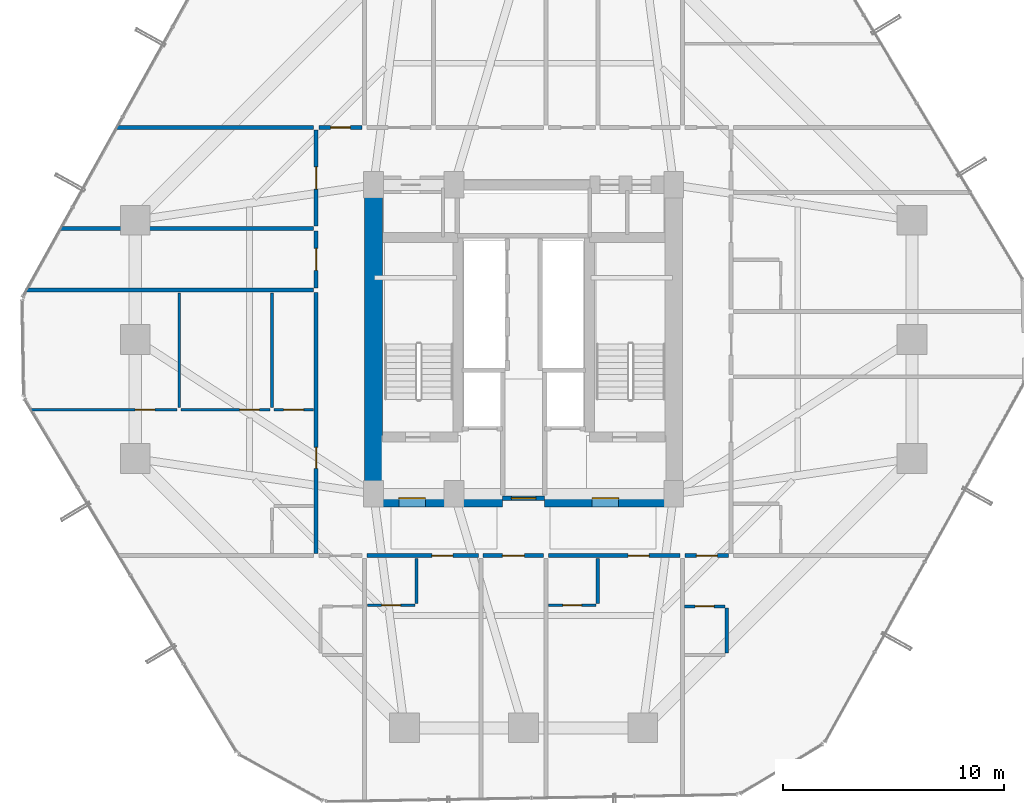
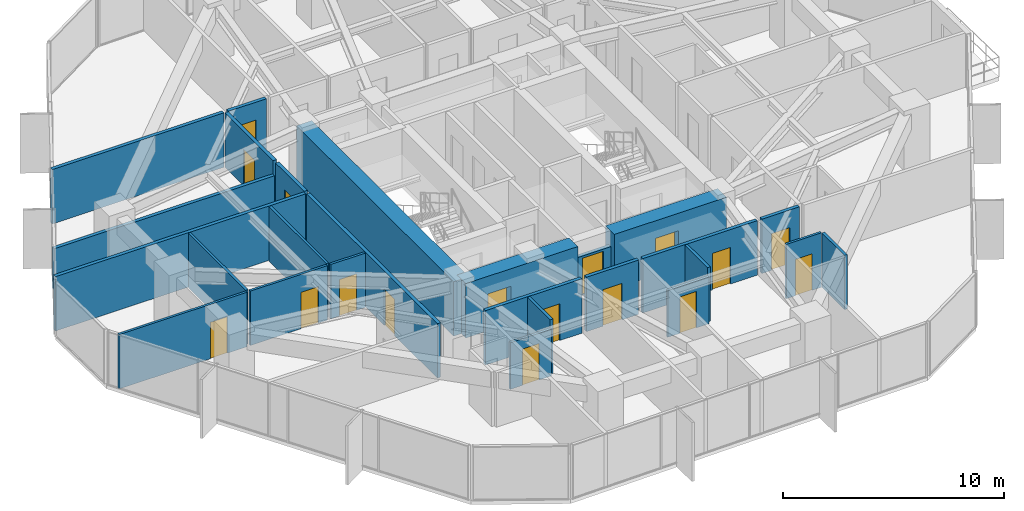
# One storey, part 35 of 39: 26 walls, 17 doors, 17 openings.
"""IFC4 building model written with IfcOpenShell, lengths in metres."""

from ifc_helpers import new_model, si_unit, direction, frame, frame_2d, origin, place, context, subcontext, project, spatial, rectangle, extrude, source, transform, mapped, material, layer, layer_set, type_object, element, fill, save


model = new_model("IFC4")

# Units and contexts
model_context = context("Model", 3, precision=1e-05, world=origin(), true_north=direction((0.0, 1.0)))
body_context = subcontext(model_context, "Body", "Model", "MODEL_VIEW")
ifc_project = project(units=[si_unit("LENGTHUNIT", "METRE"), si_unit("AREAUNIT", "SQUARE_METRE"), si_unit("VOLUMEUNIT", "CUBIC_METRE"), si_unit("PLANEANGLEUNIT", "RADIAN"), si_unit("MASSUNIT", "GRAM", prefix="KILO")], contexts=[model_context])

# Site, building, storey
site_placement = place(None, origin())
site = spatial("IfcSite", under=ifc_project, at=site_placement, CompositionType="ELEMENT")
building_placement = place(site_placement, origin())
building = spatial("IfcBuilding", under=site, at=building_placement, Name="Veraguas Prism Commons", CompositionType="ELEMENT")
storey_placement = place(building_placement, frame((0.0, 0.0, 27.300048828125)))
storey = spatial("IfcBuildingStorey", under=building, at=storey_placement, Name="L06", CompositionType="ELEMENT", Elevation=27.300048828125)

# Wall
ifc_material_1 = material(Name="Concrete C60/75", Category="concrete")
ifc_layer_1 = layer(ifc_material_1, 0.800048828125, Name="Core Outer Shear Wall Lower RC 800", Category="concrete")
ifc_layer_set_1 = layer_set([ifc_layer_1], Name="Concrete C60/75")
wall_type_1 = type_object("IfcWallType", Name="Core Outer Shear Wall Lower RC 800", PredefinedType="SHEAR", material=ifc_layer_set_1)
wall_1_placement = place(storey_placement, frame((17.199951171875, 16.800048828125, 0.0), z_axis=(0.0, 0.0, 1.0), x_axis=(0.0, 1.0, 0.0)))
element("IfcWall", 1, at=wall_1_placement, inside=storey, type_object=wall_type_1, Name="Central Core West Shear Wall L06", PredefinedType="SHEAR", context=body_context, shape_type="SweptSolid", body=[
    extrude(rectangle(XDim=14.199951171875, YDim=0.800048828125, at=frame_2d((7.10009765625, 0.0))), origin(), (0.0, 0.0, 1.0), 3.0),
])

# Wall, opening, door
wall_2_placement = place(storey_placement, frame((17.199951171875, 16.800048828125, 0.0), z_axis=(0.0, 0.0, 1.0), x_axis=(1.0, 0.0, 0.0)))
wall_2 = element("IfcWall", 2, at=wall_2_placement, inside=storey, type_object=wall_type_1, Name="Central Core South-West Shear Wall L06", PredefinedType="SHEAR", context=body_context, shape_type="SweptSolid", body=[
    extrude(rectangle(XDim=5.85009765625, YDim=0.800048828125, at=frame_2d((2.925048828125, 0.0))), origin(), (0.0, 0.0, 1.0), 3.0),
])
opening_1_placement = place(wall_2_placement, frame((1.14990234375, 0.0, 0.0)))
opening_1 = element("IfcOpeningElement", 3, at=opening_1_placement, cuts=wall_2, Name="Opening DR-06", PredefinedType="OPENING", context=body_context, shape_type="SweptSolid", body=[
    extrude(rectangle(XDim=1.199951171875, YDim=2.030029296875, at=frame_2d((0.60009765625, 1.01513671875))), frame((0.0, 0.409912109375, 0.0), z_axis=(0.0, -1.0, 0.0), x_axis=(1.0, 0.0, 0.0)), (0.0, 0.0, 1.0), 0.820068359375),
])
ifc_material_2 = material(Name="Steel fire-rated door assembly", Category="steel")
door_type_1 = type_object("IfcDoorType", Name="Firefighting Lobby Smoke Door 1200x2030", OperationType="NOTDEFINED", PredefinedType="DOOR", material=ifc_material_2)
shared_shape_1 = source(origin(), body_context, "Body", "SweptSolid", [
    extrude(rectangle(XDim=1.199951171875, YDim=2.030029296875, at=frame_2d((0.60009765625, 1.01513671875))), frame((0.0, 0.02490234375, 0.0), z_axis=(0.0, -1.0, 0.0), x_axis=(1.0, 0.0, 0.0)), (0.0, 0.0, 1.0), 0.050048828125),
])
door_1_placement = place(opening_1_placement, origin())
door_1 = element("IfcDoor", 4, at=door_1_placement, inside=storey, type_object=door_type_1, Name="West FF Lobby Door L06", OperationType="SINGLE_SWING_LEFT", OverallHeight=2.030029296875, OverallWidth=1.199951171875, PredefinedType="DOOR", context=body_context, shape_type="MappedRepresentation", body=[
    mapped(shared_shape_1, transform((0.0, 0.0, 0.0), scale=1.0)),
])
fill(opening_1, door_1)

wall_3_placement = place(storey_placement, frame((24.949951171875, 16.800048828125, 0.0), z_axis=(0.0, 0.0, 1.0), x_axis=(1.0, 0.0, 0.0)))
wall_3 = element("IfcWall", 5, at=wall_3_placement, inside=storey, type_object=wall_type_1, Name="Central Core South-East Shear Wall L06", PredefinedType="SHEAR", context=body_context, shape_type="SweptSolid", body=[
    extrude(rectangle(XDim=5.85009765625, YDim=0.800048828125, at=frame_2d((2.925048828125, 0.0))), origin(), (0.0, 0.0, 1.0), 3.0),
])
opening_2_placement = place(wall_3_placement, frame((2.14990234375, 0.0, 0.0)))
opening_2 = element("IfcOpeningElement", 6, at=opening_2_placement, cuts=wall_3, Name="Opening DR-06", PredefinedType="OPENING", context=body_context, shape_type="SweptSolid", body=[
    extrude(rectangle(XDim=1.199951171875, YDim=2.030029296875, at=frame_2d((0.60009765625, 1.01513671875))), frame((0.0, 0.409912109375, 0.0), z_axis=(0.0, -1.0, 0.0), x_axis=(1.0, 0.0, 0.0)), (0.0, 0.0, 1.0), 0.820068359375),
])
door_2_placement = place(opening_2_placement, origin())
door_2 = element("IfcDoor", 7, at=door_2_placement, inside=storey, type_object=door_type_1, Name="East FF Lobby Door L06", OperationType="SINGLE_SWING_LEFT", OverallHeight=2.030029296875, OverallWidth=1.199951171875, PredefinedType="DOOR", context=body_context, shape_type="MappedRepresentation", body=[
    mapped(shared_shape_1, transform((0.0, 0.0, 0.0), scale=1.0)),
])
fill(opening_2, door_2)

ifc_material_3 = material(Name="Autoclaved aerated masonry block 10 MPa", Category="masonry")
ifc_layer_2 = layer(ifc_material_3, 0.179931640625, Name="Corridor and Inter-Tenancy Partition 180", Category="masonry")
ifc_layer_set_2 = layer_set([ifc_layer_2], Name="Autoclaved aerated masonry block 10 MPa")
wall_type_2 = type_object("IfcWallType", Name="Corridor and Inter-Tenancy Partition 180", PredefinedType="PARTITIONING", material=ifc_layer_set_2)
wall_4_placement = place(storey_placement, frame((22.16796875, 14.199951171875, 0.0), z_axis=(0.0, 0.0, 1.0), x_axis=(1.0, 0.0, 0.0)))
wall_4 = element("IfcWall", 8, at=wall_4_placement, inside=storey, type_object=wall_type_2, Name="WL-L06-PT003", PredefinedType="PARTITIONING", context=body_context, shape_type="SweptSolid", body=[
    extrude(rectangle(XDim=2.72998046875, YDim=0.179931640625, at=frame_2d((1.364990234375, 0.0))), origin(), (0.0, 0.0, 1.0), 3.0),
])
opening_3_placement = place(wall_4_placement, frame((0.864990234375, 0.0, 0.0)))
opening_3 = element("IfcOpeningElement", 9, at=opening_3_placement, cuts=wall_4, Name="Opening DR-13", PredefinedType="OPENING", context=body_context, shape_type="SweptSolid", body=[
    extrude(rectangle(XDim=1.0, YDim=2.010009765625, at=frame_2d((0.5, 1.0048828125))), frame((0.0, 0.099853515625, 0.0), z_axis=(0.0, -1.0, 0.0), x_axis=(1.0, 0.0, 0.0)), (0.0, 0.0, 1.0), 0.199951171875),
])
door_type_2 = type_object("IfcDoorType", Name="Core Accessible WC and Clinic Fire Door 1000x2010", OperationType="NOTDEFINED", PredefinedType="DOOR", material=ifc_material_2)
shared_shape_2 = source(origin(), body_context, "Body", "SweptSolid", [
    extrude(rectangle(XDim=1.0, YDim=2.010009765625, at=frame_2d((0.5, 1.0048828125))), frame((0.0, 0.02490234375, 0.0), z_axis=(0.0, -1.0, 0.0), x_axis=(1.0, 0.0, 0.0)), (0.0, 0.0, 1.0), 0.050048828125),
])
door_3_placement = place(opening_3_placement, origin())
door_3 = element("IfcDoor", 10, at=door_3_placement, inside=storey, type_object=door_type_2, Name="Quiet Study S Door", OperationType="SINGLE_SWING_LEFT", OverallHeight=2.010009765625, OverallWidth=1.0, PredefinedType="DOOR", context=body_context, shape_type="MappedRepresentation", body=[
    mapped(shared_shape_2, transform((0.0, 0.0, 0.0), scale=1.0)),
])
fill(opening_3, door_3)

wall_5_placement = place(storey_placement, frame((16.909912109375, 14.199951171875, 0.0), z_axis=(0.0, 0.0, 1.0), x_axis=(1.0, 0.0, 0.0)))
wall_5 = element("IfcWall", 11, at=wall_5_placement, inside=storey, type_object=wall_type_2, Name="WL-L06-PT005", PredefinedType="PARTITIONING", context=body_context, shape_type="SweptSolid", body=[
    extrude(rectangle(XDim=5.0380859375, YDim=0.179931640625, at=frame_2d((2.51904296875, 0.0))), origin(), (0.0, 0.0, 1.0), 3.0),
])
opening_4_placement = place(wall_5_placement, frame((2.92919921875, 0.0, 0.0)))
opening_4 = element("IfcOpeningElement", 12, at=opening_4_placement, cuts=wall_5, Name="Opening DR-01", PredefinedType="OPENING", context=body_context, shape_type="SweptSolid", body=[
    extrude(rectangle(XDim=0.949951171875, YDim=2.02001953125, at=frame_2d((0.47509765625, 1.010009765625))), frame((0.0, 0.099853515625, 0.0), z_axis=(0.0, -1.0, 0.0), x_axis=(1.0, 0.0, 0.0)), (0.0, 0.0, 1.0), 0.199951171875),
])
ifc_material_4 = material(Name="Anodised aluminium EN AW-6063 T6", Category="aluminium")
door_type_3 = type_object("IfcDoorType", Name="Apartment Entrance Fire Door 950x2020", OperationType="NOTDEFINED", PredefinedType="DOOR", material=ifc_material_4)
shared_shape_3 = source(origin(), body_context, "Body", "SweptSolid", [
    extrude(rectangle(XDim=0.949951171875, YDim=2.02001953125, at=frame_2d((0.47509765625, 1.010009765625))), frame((0.0, 0.02490234375, 0.0), z_axis=(0.0, -1.0, 0.0), x_axis=(1.0, 0.0, 0.0)), (0.0, 0.0, 1.0), 0.050048828125),
])
door_4_placement = place(opening_4_placement, origin())
door_4 = element("IfcDoor", 13, at=door_4_placement, inside=storey, type_object=door_type_3, Name="Studio 06A Entrance Door", OperationType="SINGLE_SWING_RIGHT", OverallHeight=2.02001953125, OverallWidth=0.949951171875, PredefinedType="DOOR", context=body_context, shape_type="MappedRepresentation", body=[
    mapped(shared_shape_3, transform((0.0, 0.0, 0.0), scale=1.0)),
])
fill(opening_4, door_4)

wall_6_placement = place(storey_placement, frame((25.117919921875, 14.199951171875, 0.0), z_axis=(0.0, 0.0, 1.0), x_axis=(1.0, 0.0, 0.0)))
wall_6 = element("IfcWall", 14, at=wall_6_placement, inside=storey, type_object=wall_type_2, Name="WL-L06-PT009", PredefinedType="PARTITIONING", context=body_context, shape_type="SweptSolid", body=[
    extrude(rectangle(XDim=5.97216796875, YDim=0.179931640625, at=frame_2d((2.986083984375, 0.0))), origin(), (0.0, 0.0, 1.0), 3.0),
])
opening_5_placement = place(wall_6_placement, frame((3.620361328125, 0.0, 0.0)))
opening_5 = element("IfcOpeningElement", 15, at=opening_5_placement, cuts=wall_6, Name="Opening DR-01", PredefinedType="OPENING", context=body_context, shape_type="SweptSolid", body=[
    extrude(rectangle(XDim=0.949951171875, YDim=2.02001953125, at=frame_2d((0.47509765625, 1.010009765625))), frame((0.0, 0.099853515625, 0.0), z_axis=(0.0, -1.0, 0.0), x_axis=(1.0, 0.0, 0.0)), (0.0, 0.0, 1.0), 0.199951171875),
])
door_5_placement = place(opening_5_placement, origin())
door_5 = element("IfcDoor", 16, at=door_5_placement, inside=storey, type_object=door_type_3, Name="Studio 06B Entrance Door", OperationType="SINGLE_SWING_RIGHT", OverallHeight=2.02001953125, OverallWidth=0.949951171875, PredefinedType="DOOR", context=body_context, shape_type="MappedRepresentation", body=[
    mapped(shared_shape_3, transform((0.0, 0.0, 0.0), scale=1.0)),
])
fill(opening_5, door_5)

# Wall
wall_7_placement = place(storey_placement, frame((14.47998046875, 33.60009765625, 0.0), z_axis=(0.0, 0.0, 1.0), x_axis=(-1.0, 0.0, 0.0)))
element("IfcWall", 17, at=wall_7_placement, inside=storey, type_object=wall_type_2, Name="WL-L06-PT022", PredefinedType="PARTITIONING", context=body_context, shape_type="SweptSolid", body=[
    extrude(rectangle(XDim=8.957275390625, YDim=0.179931640625, at=frame_2d((4.478515625, 0.0))), origin(), (0.0, 0.0, 1.0), 3.0),
])

# Wall, opening, door
wall_8_placement = place(storey_placement, frame((14.60009765625, 14.31005859375, 0.0), z_axis=(0.0, 0.0, 1.0), x_axis=(0.0, 1.0, 0.0)))
wall_8 = element("IfcWall", 18, at=wall_8_placement, inside=storey, type_object=wall_type_2, Name="WL-L06-PT023", PredefinedType="PARTITIONING", context=body_context, shape_type="SweptSolid", body=[
    extrude(rectangle(XDim=11.807861328125, YDim=0.179931640625, at=frame_2d((5.90380859375, 0.0))), origin(), (0.0, 0.0, 1.0), 3.0),
])
opening_6_placement = place(wall_8_placement, frame((3.847412109375, 0.0, 0.0)))
opening_6 = element("IfcOpeningElement", 19, at=opening_6_placement, cuts=wall_8, Name="Opening DR-01", PredefinedType="OPENING", context=body_context, shape_type="SweptSolid", body=[
    extrude(rectangle(XDim=0.949951171875, YDim=2.02001953125, at=frame_2d((0.47509765625, 1.010009765625))), frame((0.0, 0.099853515625, 0.0), z_axis=(0.0, -1.0, 0.0), x_axis=(1.0, 0.0, 0.0)), (0.0, 0.0, 1.0), 0.199951171875),
])
door_6_placement = place(opening_6_placement, origin())
door_6 = element("IfcDoor", 20, at=door_6_placement, inside=storey, type_object=door_type_3, Name="Flat 06C Entrance Door", OperationType="SINGLE_SWING_RIGHT", OverallHeight=2.02001953125, OverallWidth=0.949951171875, PredefinedType="DOOR", context=body_context, shape_type="MappedRepresentation", body=[
    mapped(shared_shape_3, transform((0.0, 0.0, 0.0), scale=1.0)),
])
fill(opening_6, door_6)

# Wall
wall_9_placement = place(storey_placement, frame((14.47998046875, 26.22802734375, 0.0), z_axis=(0.0, 0.0, 1.0), x_axis=(-1.0, 0.0, 0.0)))
element("IfcWall", 21, at=wall_9_placement, inside=storey, type_object=wall_type_2, Name="WL-L06-PT031", PredefinedType="PARTITIONING", context=body_context, shape_type="SweptSolid", body=[
    extrude(rectangle(XDim=13.046875, YDim=0.179931640625, at=frame_2d((6.5234375, 0.0))), origin(), (0.0, 0.0, 1.0), 3.0),
])

# Wall, opening, door
wall_10_placement = place(storey_placement, frame((14.60009765625, 26.337890625, 0.0), z_axis=(0.0, 0.0, 1.0), x_axis=(0.0, 1.0, 0.0)))
wall_10 = element("IfcWall", 22, at=wall_10_placement, inside=storey, type_object=wall_type_2, Name="WL-L06-PT032", PredefinedType="PARTITIONING", context=body_context, shape_type="SweptSolid", body=[
    extrude(rectangle(XDim=2.5810546875, YDim=0.179931640625, at=frame_2d((1.29052734375, 0.0))), origin(), (0.0, 0.0, 1.0), 3.0),
])
opening_7_placement = place(wall_10_placement, frame((0.79052734375, 0.0, 0.0)))
opening_7 = element("IfcOpeningElement", 23, at=opening_7_placement, cuts=wall_10, Name="Opening DR-13", PredefinedType="OPENING", context=body_context, shape_type="SweptSolid", body=[
    extrude(rectangle(XDim=1.0, YDim=2.010009765625, at=frame_2d((0.5, 1.0048828125))), frame((0.0, 0.099853515625, 0.0), z_axis=(0.0, -1.0, 0.0), x_axis=(1.0, 0.0, 0.0)), (0.0, 0.0, 1.0), 0.199951171875),
])
door_7_placement = place(opening_7_placement, origin())
door_7 = element("IfcDoor", 24, at=door_7_placement, inside=storey, type_object=door_type_2, Name="Residents Study Room Door", OperationType="SINGLE_SWING_LEFT", OverallHeight=2.010009765625, OverallWidth=1.0, PredefinedType="DOOR", context=body_context, shape_type="MappedRepresentation", body=[
    mapped(shared_shape_2, transform((0.0, 0.0, 0.0), scale=1.0)),
])
fill(opening_7, door_7)

wall_11_placement = place(storey_placement, frame((14.60009765625, 29.138916015625, 0.0), z_axis=(0.0, 0.0, 1.0), x_axis=(0.0, 1.0, 0.0)))
wall_11 = element("IfcWall", 25, at=wall_11_placement, inside=storey, type_object=wall_type_2, Name="WL-L06-PT033", PredefinedType="PARTITIONING", context=body_context, shape_type="SweptSolid", body=[
    extrude(rectangle(XDim=4.35107421875, YDim=0.179931640625, at=frame_2d((2.175537109375, 0.0))), origin(), (0.0, 0.0, 1.0), 3.0),
])
opening_8_placement = place(wall_11_placement, frame((1.675537109375, 0.0, 0.0)))
opening_8 = element("IfcOpeningElement", 26, at=opening_8_placement, cuts=wall_11, Name="Opening DR-13", PredefinedType="OPENING", context=body_context, shape_type="SweptSolid", body=[
    extrude(rectangle(XDim=1.0, YDim=2.010009765625, at=frame_2d((0.5, 1.0048828125))), frame((0.0, 0.099853515625, 0.0), z_axis=(0.0, -1.0, 0.0), x_axis=(1.0, 0.0, 0.0)), (0.0, 0.0, 1.0), 0.199951171875),
])
door_8_placement = place(opening_8_placement, origin())
door_8 = element("IfcDoor", 27, at=door_8_placement, inside=storey, type_object=door_type_2, Name="Co-op Store W Door", OperationType="SINGLE_SWING_RIGHT", OverallHeight=2.010009765625, OverallWidth=1.0, PredefinedType="DOOR", context=body_context, shape_type="MappedRepresentation", body=[
    mapped(shared_shape_2, transform((0.0, 0.0, 0.0), scale=1.0)),
])
fill(opening_8, door_8)

# Wall
wall_12_placement = place(storey_placement, frame((14.47998046875, 29.029052734375, 0.0), z_axis=(0.0, 0.0, 1.0), x_axis=(-1.0, 0.0, 0.0)))
element("IfcWall", 28, at=wall_12_placement, inside=storey, type_object=wall_type_2, Name="WL-L06-PT034", PredefinedType="PARTITIONING", context=body_context, shape_type="SweptSolid", body=[
    extrude(rectangle(XDim=11.4931640625, YDim=0.179931640625, at=frame_2d((5.74658203125, 0.0))), origin(), (0.0, 0.0, 1.0), 2.299072265625),
])

# Wall, opening, door
wall_13_placement = place(storey_placement, frame((31.320068359375, 14.199951171875, 0.0), z_axis=(0.0, 0.0, 1.0), x_axis=(1.0, 0.0, 0.0)))
wall_13 = element("IfcWall", 29, at=wall_13_placement, inside=storey, type_object=wall_type_2, Name="WL-L06-PT052", PredefinedType="PARTITIONING", context=body_context, shape_type="SweptSolid", body=[
    extrude(rectangle(XDim=1.9599609375, YDim=0.179931640625, at=frame_2d((0.97998046875, 0.0))), origin(), (0.0, 0.0, 1.0), 3.0),
])
opening_9_placement = place(wall_13_placement, frame((0.5048828125, 0.0, 0.0)))
opening_9 = element("IfcOpeningElement", 30, at=opening_9_placement, cuts=wall_13, Name="Opening DR-01", PredefinedType="OPENING", context=body_context, shape_type="SweptSolid", body=[
    extrude(rectangle(XDim=0.949951171875, YDim=2.02001953125, at=frame_2d((0.47509765625, 1.010009765625))), frame((0.0, 0.099853515625, 0.0), z_axis=(0.0, -1.0, 0.0), x_axis=(1.0, 0.0, 0.0)), (0.0, 0.0, 1.0), 0.199951171875),
])
door_9_placement = place(opening_9_placement, origin())
door_9 = element("IfcDoor", 31, at=door_9_placement, inside=storey, type_object=door_type_3, Name="Studio 06G Entrance Door", OperationType="SINGLE_SWING_LEFT", OverallHeight=2.02001953125, OverallWidth=0.949951171875, PredefinedType="DOOR", context=body_context, shape_type="MappedRepresentation", body=[
    mapped(shared_shape_3, transform((0.0, 0.0, 0.0), scale=1.0)),
])
fill(opening_9, door_9)

wall_14_placement = place(storey_placement, frame((14.719970703125, 33.60009765625, 0.0), z_axis=(0.0, 0.0, 1.0), x_axis=(1.0, 0.0, 0.0)))
wall_14 = element("IfcWall", 32, at=wall_14_placement, inside=storey, type_object=wall_type_2, Name="WL-L06-PT056", PredefinedType="PARTITIONING", context=body_context, shape_type="SweptSolid", body=[
    extrude(rectangle(XDim=1.9599609375, YDim=0.179931640625, at=frame_2d((0.97998046875, 0.0))), origin(), (0.0, 0.0, 1.0), 3.0),
])
opening_10_placement = place(wall_14_placement, frame((0.530029296875, 0.0, 0.0)))
opening_10 = element("IfcOpeningElement", 33, at=opening_10_placement, cuts=wall_14, Name="Opening DR-14", PredefinedType="OPENING", context=body_context, shape_type="SweptSolid", body=[
    extrude(rectangle(XDim=0.89990234375, YDim=2.010009765625, at=frame_2d((0.449951171875, 1.0048828125))), frame((0.0, 0.099853515625, 0.0), z_axis=(0.0, -1.0, 0.0), x_axis=(1.0, 0.0, 0.0)), (0.0, 0.0, 1.0), 0.199951171875),
])
door_type_4 = type_object("IfcDoorType", Name="Core Service Room Fire Door 900x2010", OperationType="NOTDEFINED", PredefinedType="DOOR", material=ifc_material_2)
shared_shape_4 = source(origin(), body_context, "Body", "SweptSolid", [
    extrude(rectangle(XDim=0.89990234375, YDim=2.010009765625, at=frame_2d((0.449951171875, 1.0048828125))), frame((0.0, 0.02490234375, 0.0), z_axis=(0.0, -1.0, 0.0), x_axis=(1.0, 0.0, 0.0)), (0.0, 0.0, 1.0), 0.050048828125),
])
door_10_placement = place(opening_10_placement, origin())
door_10 = element("IfcDoor", 34, at=door_10_placement, inside=storey, type_object=door_type_4, Name="Residents Corner Study Room NW Door", OperationType="SINGLE_SWING_LEFT", OverallHeight=2.010009765625, OverallWidth=0.89990234375, PredefinedType="DOOR", context=body_context, shape_type="MappedRepresentation", body=[
    mapped(shared_shape_4, transform((0.0, 0.0, 0.0), scale=1.0)),
])
fill(opening_10, door_10)

ifc_material_5 = material(Name="Lightweight acoustic gypsum board")
ifc_layer_3 = layer(ifc_material_5, 0.125, Name="Internal Apartment Room Partition 125")
ifc_layer_set_3 = layer_set([ifc_layer_3], Name="Lightweight acoustic gypsum board")
wall_type_3 = type_object("IfcWallType", Name="Internal Apartment Room Partition 125", PredefinedType="PARTITIONING", material=ifc_layer_set_3)
wall_15_placement = place(storey_placement, frame((16.919921875, 11.949951171875, 0.0), z_axis=(0.0, 0.0, 1.0), x_axis=(1.0, 0.0, 0.0)))
wall_15 = element("IfcWall", 35, at=wall_15_placement, inside=storey, type_object=wall_type_3, Name="WL-L06-PT007", PredefinedType="PARTITIONING", context=body_context, shape_type="SweptSolid", body=[
    extrude(rectangle(XDim=2.150146484375, YDim=0.125, at=frame_2d((1.0751953125, 0.0))), origin(), (0.0, 0.0, 1.0), 2.579833984375),
])
opening_11_placement = place(wall_15_placement, frame((0.64501953125, 0.0, 0.0)))
opening_11 = element("IfcOpeningElement", 36, at=opening_11_placement, cuts=wall_15, Name="Opening DR-03", PredefinedType="OPENING", context=body_context, shape_type="SweptSolid", body=[
    extrude(rectangle(XDim=0.860107421875, YDim=2.010009765625, at=frame_2d((0.43017578125, 1.0048828125))), frame((0.0, 0.072509765625, 0.0), z_axis=(0.0, -1.0, 0.0), x_axis=(1.0, 0.0, 0.0)), (0.0, 0.0, 1.0), 0.14501953125),
])
ifc_material_6 = material(Name="Timber moisture-resistant leaf", Category="wood")
door_type_5 = type_object("IfcDoorType", Name="Internal Bathroom Door 860x2010", OperationType="NOTDEFINED", PredefinedType="DOOR", material=ifc_material_6)
shared_shape_5 = source(origin(), body_context, "Body", "SweptSolid", [
    extrude(rectangle(XDim=0.860107421875, YDim=2.010009765625, at=frame_2d((0.43017578125, 1.0048828125))), frame((0.0, 0.02490234375, 0.0), z_axis=(0.0, -1.0, 0.0), x_axis=(1.0, 0.0, 0.0)), (0.0, 0.0, 1.0), 0.050048828125),
])
door_11_placement = place(opening_11_placement, origin())
door_11 = element("IfcDoor", 37, at=door_11_placement, inside=storey, type_object=door_type_5, Name="Studio 06A Bathroom Door", OperationType="SINGLE_SWING_LEFT", OverallHeight=2.010009765625, OverallWidth=0.860107421875, PredefinedType="DOOR", context=body_context, shape_type="MappedRepresentation", body=[
    mapped(shared_shape_5, transform((0.0, 0.0, 0.0), scale=1.0)),
])
fill(opening_11, door_11)

wall_16_placement = place(storey_placement, frame((25.1279296875, 11.949951171875, 0.0), z_axis=(0.0, 0.0, 1.0), x_axis=(1.0, 0.0, 0.0)))
wall_16 = element("IfcWall", 38, at=wall_16_placement, inside=storey, type_object=wall_type_3, Name="WL-L06-PT011", PredefinedType="PARTITIONING", context=body_context, shape_type="SweptSolid", body=[
    extrude(rectangle(XDim=2.150146484375, YDim=0.125, at=frame_2d((1.0751953125, 0.0))), origin(), (0.0, 0.0, 1.0), 2.579833984375),
])
opening_12_placement = place(wall_16_placement, frame((0.64501953125, 0.0, 0.0)))
opening_12 = element("IfcOpeningElement", 39, at=opening_12_placement, cuts=wall_16, Name="Opening DR-03", PredefinedType="OPENING", context=body_context, shape_type="SweptSolid", body=[
    extrude(rectangle(XDim=0.860107421875, YDim=2.010009765625, at=frame_2d((0.43017578125, 1.0048828125))), frame((0.0, 0.072509765625, 0.0), z_axis=(0.0, -1.0, 0.0), x_axis=(1.0, 0.0, 0.0)), (0.0, 0.0, 1.0), 0.14501953125),
])
door_12_placement = place(opening_12_placement, origin())
door_12 = element("IfcDoor", 40, at=door_12_placement, inside=storey, type_object=door_type_5, Name="Studio 06B Bathroom Door", OperationType="SINGLE_SWING_LEFT", OverallHeight=2.010009765625, OverallWidth=0.860107421875, PredefinedType="DOOR", context=body_context, shape_type="MappedRepresentation", body=[
    mapped(shared_shape_5, transform((0.0, 0.0, 0.0), scale=1.0)),
])
fill(opening_12, door_12)

wall_17_placement = place(storey_placement, frame((14.47998046875, 20.81494140625, 0.0), z_axis=(0.0, 0.0, 1.0), x_axis=(-1.0, 0.0, 0.0)))
wall_17 = element("IfcWall", 41, at=wall_17_placement, inside=storey, type_object=wall_type_3, Name="WL-L06-PT026", PredefinedType="PARTITIONING", context=body_context, shape_type="SweptSolid", body=[
    extrude(rectangle(XDim=1.800048828125, YDim=0.125, at=frame_2d((0.89990234375, 0.0))), origin(), (0.0, 0.0, 1.0), 3.0),
])
opening_13_placement = place(wall_17_placement, frame((0.449951171875, 0.0, 0.0)))
opening_13 = element("IfcOpeningElement", 42, at=opening_13_placement, cuts=wall_17, Name="Opening DR-02", PredefinedType="OPENING", context=body_context, shape_type="SweptSolid", body=[
    extrude(rectangle(XDim=0.89990234375, YDim=2.010009765625, at=frame_2d((0.449951171875, 1.0048828125))), frame((0.0, 0.072509765625, 0.0), z_axis=(0.0, -1.0, 0.0), x_axis=(1.0, 0.0, 0.0)), (0.0, 0.0, 1.0), 0.14501953125),
])
ifc_material_7 = material(Name="Timber solid core hardwood", Category="wood")
door_type_6 = type_object("IfcDoorType", Name="Internal Habitable Room Door 900x2010", OperationType="NOTDEFINED", PredefinedType="DOOR", material=ifc_material_7)
door_13_placement = place(opening_13_placement, origin())
door_13 = element("IfcDoor", 43, at=door_13_placement, inside=storey, type_object=door_type_6, Name="Flat 06C Kitchen Door", OperationType="SINGLE_SWING_RIGHT", OverallHeight=2.010009765625, OverallWidth=0.89990234375, PredefinedType="DOOR", context=body_context, shape_type="MappedRepresentation", body=[
    mapped(shared_shape_4, transform((0.0, 0.0, 0.0), scale=1.0)),
])
fill(opening_13, door_13)

# Walls
for number, where, z_axis, x_axis, name in (
    (44, (12.60009765625, 20.9150390625, 0.0), (0.0, 0.0, 1.0), (0.0, 1.0, 0.0), "WL-L06-PT027"),
    (45, (8.39990234375, 20.9150390625, 0.0), (0.0, 0.0, 1.0), (0.0, 1.0, 0.0), "WL-L06-PT028"),
):
    element("IfcWall", number, at=place(storey_placement, frame(where, z_axis=z_axis, x_axis=x_axis)), inside=storey, type_object=wall_type_3, Name=name, PredefinedType="PARTITIONING", context=body_context, shape_type="SweptSolid", body=[
        extrude(rectangle(XDim=5.19287109375, YDim=0.125, at=frame_2d((2.596435546875, 0.0))), origin(), (0.0, 0.0, 1.0), 3.0),
    ])

# Wall, opening, door
wall_18_placement = place(storey_placement, frame((12.5, 20.81494140625, 0.0), z_axis=(0.0, 0.0, 1.0), x_axis=(-1.0, 0.0, 0.0)))
wall_18 = element("IfcWall", 46, at=wall_18_placement, inside=storey, type_object=wall_type_3, Name="WL-L06-PT029", PredefinedType="PARTITIONING", context=body_context, shape_type="SweptSolid", body=[
    extrude(rectangle(XDim=4.02001953125, YDim=0.125, at=frame_2d((2.010009765625, 0.0))), origin(), (0.0, 0.0, 1.0), 3.0),
])
opening_14_placement = place(wall_18_placement, frame((0.471923828125, 0.0, 0.0)))
opening_14 = element("IfcOpeningElement", 47, at=opening_14_placement, cuts=wall_18, Name="Opening DR-02", PredefinedType="OPENING", context=body_context, shape_type="SweptSolid", body=[
    extrude(rectangle(XDim=0.89990234375, YDim=2.010009765625, at=frame_2d((0.449951171875, 1.0048828125))), frame((0.0, 0.072509765625, 0.0), z_axis=(0.0, -1.0, 0.0), x_axis=(1.0, 0.0, 0.0)), (0.0, 0.0, 1.0), 0.14501953125),
])
door_14_placement = place(opening_14_placement, origin())
door_14 = element("IfcDoor", 48, at=door_14_placement, inside=storey, type_object=door_type_6, Name="Flat 06C Bedroom 1 Door", OperationType="SINGLE_SWING_LEFT", OverallHeight=2.010009765625, OverallWidth=0.89990234375, PredefinedType="DOOR", context=body_context, shape_type="MappedRepresentation", body=[
    mapped(shared_shape_4, transform((0.0, 0.0, 0.0), scale=1.0)),
])
fill(opening_14, door_14)

wall_19_placement = place(storey_placement, frame((8.300048828125, 20.81494140625, 0.0), z_axis=(0.0, 0.0, 1.0), x_axis=(-1.0, 0.0, 0.0)))
wall_19 = element("IfcWall", 49, at=wall_19_placement, inside=storey, type_object=wall_type_3, Name="WL-L06-PT030", PredefinedType="PARTITIONING", context=body_context, shape_type="SweptSolid", body=[
    extrude(rectangle(XDim=6.665771484375, YDim=0.125, at=frame_2d((3.3330078125, 0.0))), origin(), (0.0, 0.0, 1.0), 3.0),
])
opening_15_placement = place(wall_19_placement, frame((1.0048828125, 0.0, 0.0)))
opening_15 = element("IfcOpeningElement", 50, at=opening_15_placement, cuts=wall_19, Name="Opening DR-02", PredefinedType="OPENING", context=body_context, shape_type="SweptSolid", body=[
    extrude(rectangle(XDim=0.89990234375, YDim=2.010009765625, at=frame_2d((0.449951171875, 1.0048828125))), frame((0.0, 0.072509765625, 0.0), z_axis=(0.0, -1.0, 0.0), x_axis=(1.0, 0.0, 0.0)), (0.0, 0.0, 1.0), 0.14501953125),
])
door_15_placement = place(opening_15_placement, origin())
door_15 = element("IfcDoor", 51, at=door_15_placement, inside=storey, type_object=door_type_6, Name="Flat 06C Bedroom 2 Door", OperationType="SINGLE_SWING_RIGHT", OverallHeight=2.010009765625, OverallWidth=0.89990234375, PredefinedType="DOOR", context=body_context, shape_type="MappedRepresentation", body=[
    mapped(shared_shape_4, transform((0.0, 0.0, 0.0), scale=1.0)),
])
fill(opening_15, door_15)

wall_20_placement = place(storey_placement, frame((31.280029296875, 11.89990234375, 0.0), z_axis=(0.0, 0.0, 1.0), x_axis=(1.0, 0.0, 0.0)))
wall_20 = element("IfcWall", 52, at=wall_20_placement, inside=storey, type_object=wall_type_3, Name="WL-L06-PT053", PredefinedType="PARTITIONING", context=body_context, shape_type="SweptSolid", body=[
    extrude(rectangle(XDim=1.840087890625, YDim=0.125, at=frame_2d((0.919921875, 0.0))), origin(), (0.0, 0.0, 1.0), 3.0),
])
opening_16_placement = place(wall_20_placement, frame((0.489990234375, 0.0, 0.0)))
opening_16 = element("IfcOpeningElement", 53, at=opening_16_placement, cuts=wall_20, Name="Opening DR-03", PredefinedType="OPENING", context=body_context, shape_type="SweptSolid", body=[
    extrude(rectangle(XDim=0.860107421875, YDim=2.010009765625, at=frame_2d((0.43017578125, 1.0048828125))), frame((0.0, 0.072509765625, 0.0), z_axis=(0.0, -1.0, 0.0), x_axis=(1.0, 0.0, 0.0)), (0.0, 0.0, 1.0), 0.14501953125),
])
door_16_placement = place(opening_16_placement, origin())
door_16 = element("IfcDoor", 54, at=door_16_placement, inside=storey, type_object=door_type_5, Name="Studio 06G Bathroom Door", OperationType="SINGLE_SWING_RIGHT", OverallHeight=2.010009765625, OverallWidth=0.860107421875, PredefinedType="DOOR", context=body_context, shape_type="MappedRepresentation", body=[
    mapped(shared_shape_5, transform((0.0, 0.0, 0.0), scale=1.0)),
])
fill(opening_16, door_16)

ifc_layer_4 = layer(ifc_material_3, 0.199951171875, Name="Rated Shaft and Lobby Block Wall 200", Category="masonry")
ifc_layer_set_4 = layer_set([ifc_layer_4], Name="Autoclaved aerated masonry block 10 MPa")
wall_type_4 = type_object("IfcWallType", Name="Rated Shaft and Lobby Block Wall 200", PredefinedType="SOLIDWALL", material=ifc_layer_set_4)
wall_21_placement = place(storey_placement, frame((23.050048828125, 16.800048828125, 0.0), z_axis=(0.0, 0.0, 1.0), x_axis=(1.0, 0.0, 0.0)))
wall_21 = element("IfcWall", 55, at=wall_21_placement, inside=storey, type_object=wall_type_4, Name="Central Core Lobby Entrance Wall L06", PredefinedType="SOLIDWALL", context=body_context, shape_type="SweptSolid", body=[
    extrude(rectangle(XDim=1.89990234375, YDim=0.199951171875, at=frame_2d((0.949951171875, 0.0))), origin(), (0.0, 0.0, 1.0), 2.14990234375),
])
opening_17_placement = place(wall_21_placement, frame((0.39990234375, 0.0, 0.0)))
opening_17 = element("IfcOpeningElement", 56, at=opening_17_placement, cuts=wall_21, Name="Opening DR-05", PredefinedType="OPENING", context=body_context, shape_type="SweptSolid", body=[
    extrude(rectangle(XDim=1.10009765625, YDim=2.030029296875, at=frame_2d((0.550048828125, 1.01513671875))), frame((0.0, 0.10986328125, 0.0), z_axis=(0.0, -1.0, 0.0), x_axis=(1.0, 0.0, 0.0)), (0.0, 0.0, 1.0), 0.219970703125),
])
door_type_7 = type_object("IfcDoorType", Name="Protected Stair and Refuge Fire Door 1100x2030", OperationType="NOTDEFINED", PredefinedType="DOOR", material=ifc_material_2)
shared_shape_6 = source(origin(), body_context, "Body", "SweptSolid", [
    extrude(rectangle(XDim=1.10009765625, YDim=2.030029296875, at=frame_2d((0.550048828125, 1.01513671875))), frame((0.0, 0.02490234375, 0.0), z_axis=(0.0, -1.0, 0.0), x_axis=(1.0, 0.0, 0.0)), (0.0, 0.0, 1.0), 0.050048828125),
])
door_17_placement = place(opening_17_placement, origin())
door_17 = element("IfcDoor", 57, at=door_17_placement, inside=storey, type_object=door_type_7, Name="Central Lobby Door L06", OperationType="SINGLE_SWING_RIGHT", OverallHeight=2.030029296875, OverallWidth=1.10009765625, PredefinedType="DOOR", context=body_context, shape_type="MappedRepresentation", body=[
    mapped(shared_shape_6, transform((0.0, 0.0, 0.0), scale=1.0)),
])
fill(opening_17, door_17)

# Walls
ifc_layer_5 = layer(ifc_material_5, 0.14990234375, Name="Wet Room and Clinic Acoustic Partition 150")
ifc_layer_set_5 = layer_set([ifc_layer_5], Name="Lightweight acoustic gypsum board")
wall_type_5 = type_object("IfcWallType", Name="Wet Room and Clinic Acoustic Partition 150", PredefinedType="PARTITIONING", material=ifc_layer_set_5)
for number, where, z_axis, x_axis, name in (
    (58, (19.14990234375, 14.080078125, 0.0), (0.0, 0.0, 1.0), (0.0, -1.0, 0.0), "WL-L06-PT006"),
    (59, (27.35791015625, 14.080078125, 0.0), (0.0, 0.0, 1.0), (0.0, -1.0, 0.0), "WL-L06-PT010"),
):
    element("IfcWall", number, at=place(storey_placement, frame(where, z_axis=z_axis, x_axis=x_axis)), inside=storey, type_object=wall_type_5, Name=name, PredefinedType="PARTITIONING", context=body_context, shape_type="SweptSolid", body=[
        extrude(rectangle(XDim=2.050048828125, YDim=0.14990234375, at=frame_2d((1.02490234375, 0.0))), origin(), (0.0, 0.0, 1.0), 3.0),
    ])
wall_22_placement = place(storey_placement, frame((33.199951171875, 9.780029296875, 0.0), z_axis=(0.0, 0.0, 1.0), x_axis=(0.0, 1.0, 0.0)))
element("IfcWall", 60, at=wall_22_placement, inside=storey, type_object=wall_type_5, Name="WL-L06-PT055", PredefinedType="PARTITIONING", context=body_context, shape_type="SweptSolid", body=[
    extrude(rectangle(XDim=2.0400390625, YDim=0.14990234375, at=frame_2d((1.02001953125, 0.0))), origin(), (0.0, 0.0, 1.0), 3.0),
])

save(model, "model.ifc")
